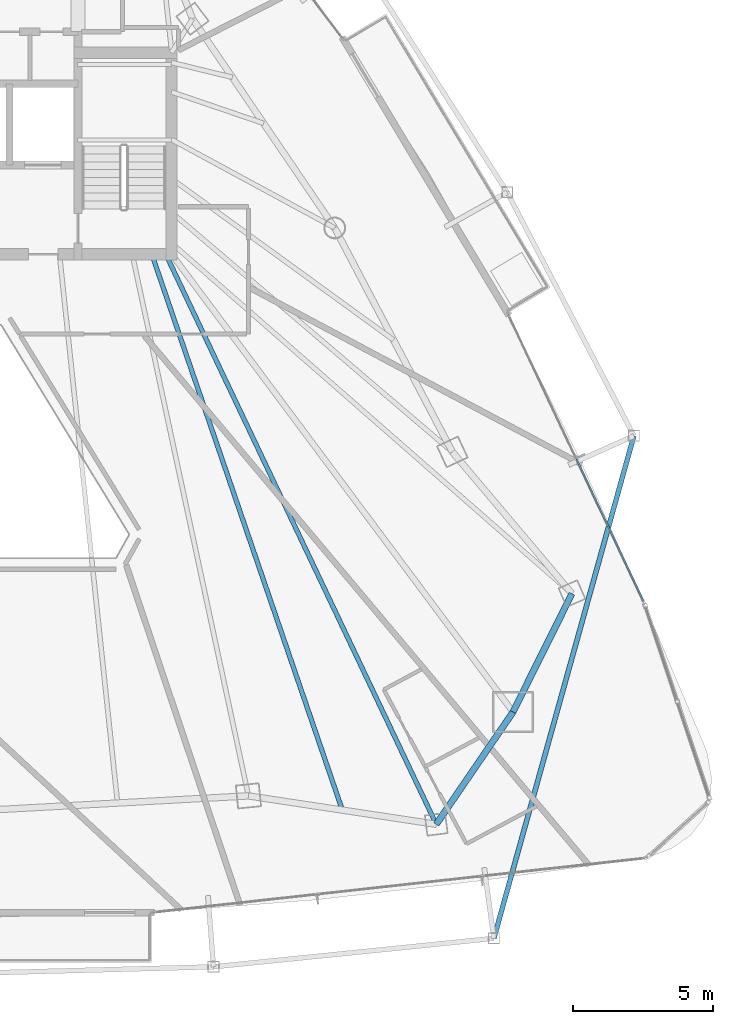
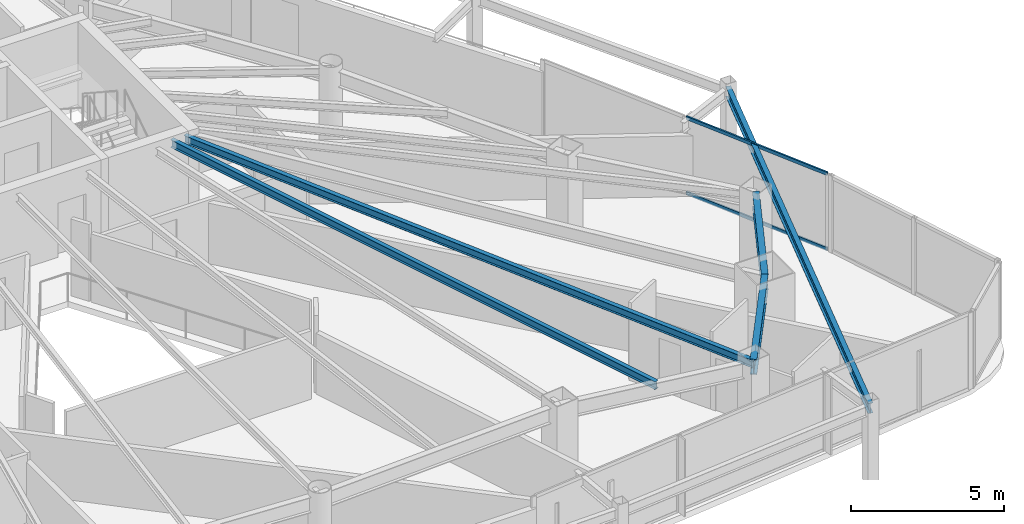
# One storey, part 14 of 31: 5 beams, 2 members, 1 element without a shape of its own.
"""IFC4 building model written with IfcOpenShell, lengths in metres."""

from ifc_helpers import new_model, si_unit, direction, frame, origin, origin_2d, place, context, subcontext, project, spatial, hollow_rectangle, i_section, extrude, material, layer, layer_set, material_profile, profile_set, type_object, element, aggregate, save


model = new_model("IFC4")

# Units and contexts
model_context = context("Model", 3, precision=1e-05, world=origin(), true_north=direction((0.0, 1.0)))
body_context = subcontext(model_context, "Body", "Model", "MODEL_VIEW")
ifc_project = project(units=[si_unit("LENGTHUNIT", "METRE"), si_unit("AREAUNIT", "SQUARE_METRE"), si_unit("VOLUMEUNIT", "CUBIC_METRE"), si_unit("PLANEANGLEUNIT", "RADIAN"), si_unit("MASSUNIT", "GRAM", prefix="KILO")], contexts=[model_context])

# Site, building, storey
site_placement = place(None, origin())
site = spatial("IfcSite", under=ifc_project, at=site_placement, CompositionType="ELEMENT")
building_placement = place(site_placement, origin())
building = spatial("IfcBuilding", under=site, at=building_placement, Name="Orvanel Arch Residences", CompositionType="ELEMENT")
storey_placement = place(building_placement, frame((0.0, 0.0, 129.800048828125)))
storey = spatial("IfcBuildingStorey", under=building, at=storey_placement, Name="L36", CompositionType="ELEMENT", Elevation=129.800048828125)

# Beams
ifc_material_1 = material(Name="Structural steel AS/NZS 3679.1 Grade 300 (300 MPa)", Category="steel")
ifc_material_profile_1 = material_profile(ifc_material_1, i_section(OverallWidth=0.1650390625, OverallDepth=0.303955078125, WebThickness=0.006103515625, FlangeThickness=0.01025390625, at=origin_2d()), Name="310UB40.4")
ifc_profile_set_1 = profile_set([ifc_material_profile_1], Name="Structural steel AS/NZS 3679.1 Grade 300 (300 MPa)")
beam_type_1 = type_object("IfcBeamType", Name="BJ-310UB", PredefinedType="JOIST", material=ifc_profile_set_1)
beam_1_placement = place(storey_placement, frame((39.39990234375, 26.699951171875, 2.907958984375), z_axis=(0.428614365266, -0.903487534993, 0.0), x_axis=(0.903487534993, 0.428614365266, 0.0)))
element("IfcBeam", 1, at=beam_1_placement, inside=storey, type_object=beam_type_1, Name="L36 MSE Wing Floor Joist", PredefinedType="JOIST", context=body_context, shape_type="SweptSolid", body=[
    extrude(i_section(OverallWidth=0.1650390625, OverallDepth=0.303955078125, WebThickness=0.006103515625, FlangeThickness=0.01025390625, at=origin_2d()), origin(), (0.0, 0.0, 1.0), 22.535888671875),
])
beam_2_placement = place(storey_placement, frame((38.89990234375, 26.699951171875, 2.907958984375), z_axis=(0.324257108963, -0.945968988544, 0.0), x_axis=(0.945968988544, 0.324257108963, 0.0)))
element("IfcBeam", 2, at=beam_2_placement, inside=storey, type_object=beam_type_1, Name="L36 JADD2 Wing Floor Joist", PredefinedType="JOIST", context=body_context, shape_type="SweptSolid", body=[
    extrude(i_section(OverallWidth=0.1650390625, OverallDepth=0.303955078125, WebThickness=0.006103515625, FlangeThickness=0.01025390625, at=origin_2d()), origin(), (0.0, 0.0, 1.0), 20.987060546875),
])
ifc_material_profile_2 = material_profile(ifc_material_1, i_section(OverallWidth=0.177978515625, OverallDepth=0.406005859375, WebThickness=0.0078125, FlangeThickness=0.0126953125, at=origin_2d()), Name="410UB59.7")
ifc_profile_set_2 = profile_set([ifc_material_profile_2], Name="Structural steel AS/NZS 3679.1 Grade 300 (300 MPa)")
beam_type_2 = type_object("IfcBeamType", Name="OB-410UB-EXT", PredefinedType="SPANDREL", material=ifc_profile_set_2)
beam_3_placement = place(storey_placement, frame((51.116943359375, 2.26708984375, 2.85693359375), z_axis=(0.268412192223, 0.963304155013, 0.0), x_axis=(-0.963304155013, 0.268412192223, 0.0)))
element("IfcBeam", 3, at=beam_3_placement, inside=storey, type_object=beam_type_2, Name="L36 Outer Perimeter Floor Ring Beam 08", PredefinedType="SPANDREL", context=body_context, shape_type="SweptSolid", body=[
    extrude(i_section(OverallWidth=0.177978515625, OverallDepth=0.406005859375, WebThickness=0.0078125, FlangeThickness=0.0126953125, at=origin_2d()), origin(), (0.0, 0.0, 1.0), 18.631591796875),
])
ifc_material_profile_3 = material_profile(ifc_material_1, i_section(OverallWidth=0.22900390625, OverallDepth=0.612060546875, WebThickness=0.011962890625, FlangeThickness=0.01953125, at=origin_2d()), Name="610UB125")
ifc_profile_set_3 = profile_set([ifc_material_profile_3], Name="Structural steel AS/NZS 3679.1 Grade 300 (300 MPa)")
beam_type_3 = type_object("IfcBeamType", Name="SP-610UB", PredefinedType="SPANDREL", material=ifc_profile_set_3)
beam_4_placement = place(storey_placement, frame((49.05908203125, 6.339111328125, 2.75390625), z_axis=(0.564251579852, 0.825602903722, 0.0), x_axis=(-0.825602903722, 0.564251579852, 0.0)))
element("IfcBeam", 4, at=beam_4_placement, inside=storey, type_object=beam_type_3, Name="L36 Perimeter Spandrel Beam 08", PredefinedType="SPANDREL", context=body_context, shape_type="SweptSolid", body=[
    extrude(i_section(OverallWidth=0.22900390625, OverallDepth=0.612060546875, WebThickness=0.011962890625, FlangeThickness=0.01953125, at=origin_2d()), origin(), (0.0, 0.0, 1.0), 4.859375),
])
beam_5_placement = place(storey_placement, frame((51.801025390625, 10.35107421875, 2.75390625), z_axis=(0.44543469453, 0.895314432425, 0.0), x_axis=(-0.895314432425, 0.44543469453, 0.0)))
element("IfcBeam", 5, at=beam_5_placement, inside=storey, type_object=beam_type_3, Name="L36 Perimeter Spandrel Beam 09", PredefinedType="SPANDREL", context=body_context, shape_type="SweptSolid", body=[
    extrude(i_section(OverallWidth=0.22900390625, OverallDepth=0.612060546875, WebThickness=0.011962890625, FlangeThickness=0.01953125, at=origin_2d()), origin(), (0.0, 0.0, 1.0), 4.723388671875),
])

# Curtain wall, members
ifc_material_2 = material(Name="Bronze-anodised aluminium AA6063-T6", Category="aluminium")
ifc_layer = layer(ifc_material_2, 0.179931640625)
ifc_layer_set = layer_set([ifc_layer], Name="Bronze-anodised aluminium AA6063-T6")
curtain_wall_type = type_object("IfcCurtainWallType", Name="CW3-MID-SYS", PredefinedType="NOTDEFINED", material=ifc_layer_set)
curtain_wall_placement = place(storey_placement, origin())
curtain_wall = element("IfcCurtainWall", 6, at=curtain_wall_placement, inside=storey, type_object=curtain_wall_type, Name="L36 CW3-MID-SYS Unitised Curtain Wall", PredefinedType="NOTDEFINED")
ifc_material_profile_4 = material_profile(ifc_material_2, hollow_rectangle(XDim=0.06005859375, YDim=0.135009765625, WallThickness=0.00390625, at=origin_2d()), Name="ALU135x60x4")
ifc_profile_set_4 = profile_set([ifc_material_profile_4], Name="Bronze-anodised aluminium AA6063-T6")
member_type = type_object("IfcMemberType", Name="TRN-135x60", PredefinedType="USERDEFINED", material=ifc_profile_set_4)
member_1_placement = place(storey_placement, frame((56.453125, 14.318359375, 0.030029296875), z_axis=(-0.426208344107, 0.904625031388, 0.0), x_axis=(-0.904625031388, -0.426208344107, 0.0)))
member_1 = element("IfcMember", 7, at=member_1_placement, type_object=member_type, Name="CW-S3 transom 1.1", ObjectType="TRANSOM", PredefinedType="USERDEFINED", context=body_context, shape_type="SweptSolid", body=[
    extrude(hollow_rectangle(XDim=0.06005859375, YDim=0.135009765625, WallThickness=0.00390625, at=origin_2d()), origin(), (0.0, 0.0, 1.0), 5.602294921875),
])
member_2_placement = place(storey_placement, frame((56.453125, 14.318359375, 3.030029296875), z_axis=(-0.426208344107, 0.904625031388, 0.0), x_axis=(-0.904625031388, -0.426208344107, 0.0)))
member_2 = element("IfcMember", 8, at=member_2_placement, type_object=member_type, Name="CW-S3 transom 1.2", ObjectType="TRANSOM", PredefinedType="USERDEFINED", context=body_context, shape_type="SweptSolid", body=[
    extrude(hollow_rectangle(XDim=0.06005859375, YDim=0.135009765625, WallThickness=0.00390625, at=origin_2d()), origin(), (0.0, 0.0, 1.0), 5.602294921875),
])
aggregate(curtain_wall, [member_1, member_2])

save(model, "model.ifc")
